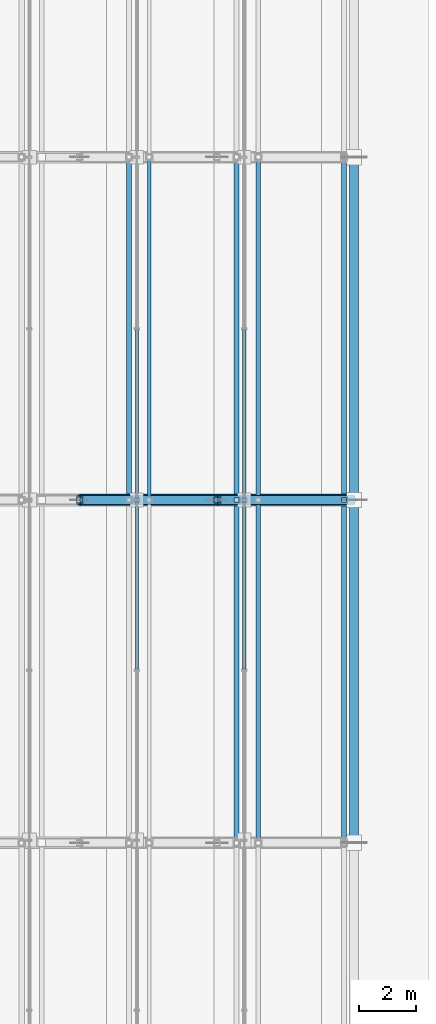
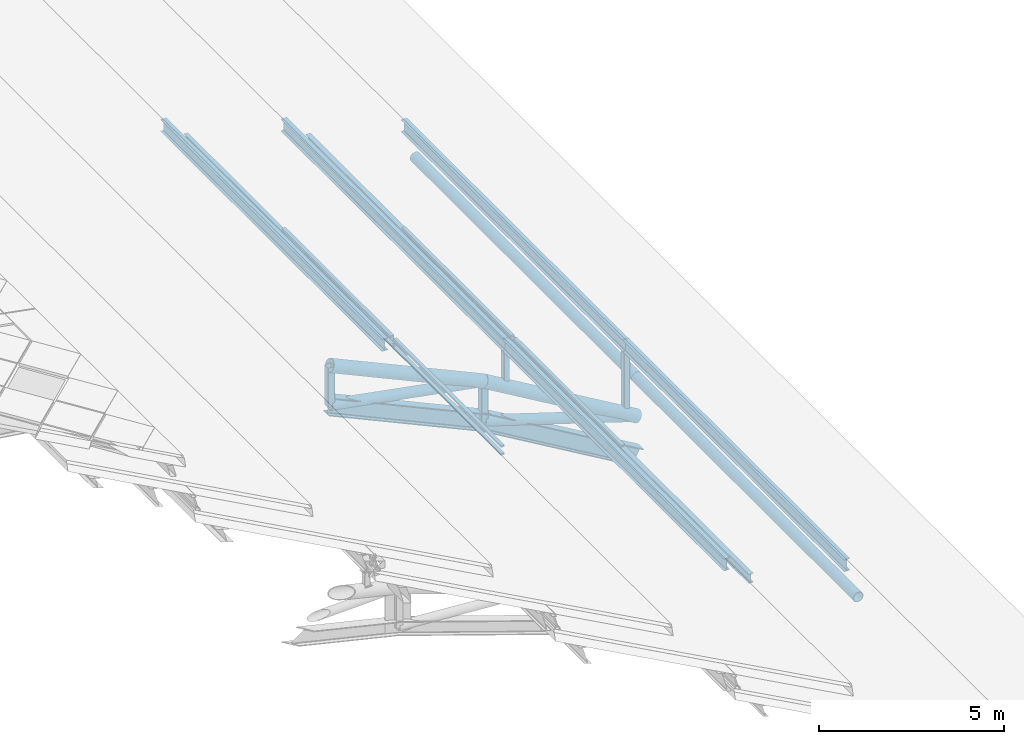
# One storey, part 19 of 117: 26 members, 2 beams, 4 elements without a shape of their own.
"""IFC4 building model written with IfcOpenShell, lengths in metres."""

from ifc_helpers import new_model, si_unit, direction, frame, origin, origin_2d, place, context, subcontext, project, spatial, hollow_rectangle, hollow_circle, i_section, extrude, material, material_profile, profile_set, type_object, element, aggregate, save


model = new_model("IFC4")

# Units and contexts
model_context = context("Model", 3, precision=1e-05, world=origin(), true_north=direction((0.0, 1.0)))
body_context = subcontext(model_context, "Body", "Model", "MODEL_VIEW")
ifc_project = project(units=[si_unit("LENGTHUNIT", "METRE"), si_unit("AREAUNIT", "SQUARE_METRE"), si_unit("VOLUMEUNIT", "CUBIC_METRE"), si_unit("PLANEANGLEUNIT", "RADIAN"), si_unit("MASSUNIT", "GRAM", prefix="KILO")], contexts=[model_context])

# Site, building, storey
site_placement = place(None, origin())
site = spatial("IfcSite", under=ifc_project, at=site_placement, CompositionType="ELEMENT")
building_placement = place(site_placement, origin())
building = spatial("IfcBuilding", under=site, at=building_placement, Name="Merenkruunu Market Hall", CompositionType="ELEMENT")
storey_placement = place(building_placement, frame((0.0, 0.0, 22.800048828125)))
storey = spatial("IfcBuildingStorey", under=building, at=storey_placement, Name="RF", CompositionType="ELEMENT", Elevation=22.800048828125)

# Members
ifc_material_1 = material(Name="Steel S355ML", Category="steel")
ifc_material_profile_1 = material_profile(ifc_material_1, hollow_circle(Radius=0.203125, WallThickness=0.01611328125, at=origin_2d()), Name="CHS 406.4x16")
ifc_profile_set_1 = profile_set([ifc_material_profile_1], Name="Steel S355ML")
member_type_1 = type_object("IfcMemberType", Name="Arch Truss Chord TC02", PredefinedType="CHORD", material=ifc_profile_set_1)
member_1_placement = place(storey_placement, frame((48.0, 39.60009765625, -5.12109375), z_axis=(0.909419998666, 0.0, -0.415878907889), x_axis=(0.0, 1.0, 0.0)))
element("IfcMember", 1, at=member_1_placement, inside=storey, type_object=member_type_1, Name="TRUSS-AT-3-TOP-11", PredefinedType="CHORD", context=body_context, shape_type="SweptSolid", body=[
    extrude(hollow_circle(Radius=0.203125, WallThickness=0.01611328125, at=origin_2d()), origin(), (0.0, 0.0, 1.0), 5.278076171875),
])
member_2_placement = place(storey_placement, frame((52.800048828125, 39.60009765625, -7.316162109375), z_axis=(0.861115679414, 0.0, -0.508409074139), x_axis=(0.0, 1.0, 0.0)))
element("IfcMember", 2, at=member_2_placement, inside=storey, type_object=member_type_1, Name="TRUSS-AT-3-TOP-12", PredefinedType="CHORD", context=body_context, shape_type="SweptSolid", body=[
    extrude(hollow_circle(Radius=0.203125, WallThickness=0.01611328125, at=origin_2d()), origin(), (0.0, 0.0, 1.0), 5.57421875),
])
ifc_material_profile_2 = material_profile(ifc_material_1, i_section(OverallWidth=0.300048828125, OverallDepth=0.550048828125, WebThickness=0.014892578125, FlangeThickness=0.029052734375, FilletRadius=0.027099609375, at=origin_2d()), Name="HEB 550")
ifc_profile_set_2 = profile_set([ifc_material_profile_2], Name="Steel S355ML")
member_type_2 = type_object("IfcMemberType", Name="Arch Truss Chord TC03", PredefinedType="CHORD", material=ifc_profile_set_2)
member_3_placement = place(storey_placement, frame((48.0, 39.60009765625, -6.421142578125), z_axis=(0.909437492245, 0.0, -0.415840651812), x_axis=(0.0, 1.0, 0.0)))
element("IfcMember", 3, at=member_3_placement, inside=storey, type_object=member_type_2, Name="TRUSS-AT-3-BOT-11", PredefinedType="CHORD", context=body_context, shape_type="SweptSolid", body=[
    extrude(i_section(OverallWidth=0.300048828125, OverallDepth=0.550048828125, WebThickness=0.014892578125, FlangeThickness=0.029052734375, FilletRadius=0.027099609375, at=origin_2d()), origin(), (0.0, 0.0, 1.0), 5.278076171875),
])
member_4_placement = place(storey_placement, frame((52.800048828125, 39.60009765625, -8.615966796875), z_axis=(0.861115679414, 0.0, -0.508409074139), x_axis=(0.0, 1.0, 0.0)))
element("IfcMember", 4, at=member_4_placement, inside=storey, type_object=member_type_2, Name="TRUSS-AT-3-BOT-12", PredefinedType="CHORD", context=body_context, shape_type="SweptSolid", body=[
    extrude(i_section(OverallWidth=0.300048828125, OverallDepth=0.550048828125, WebThickness=0.014892578125, FlangeThickness=0.029052734375, FilletRadius=0.027099609375, at=origin_2d()), origin(), (0.0, 0.0, 1.0), 5.57421875),
])

# Curtain wall, members
ifc_material_2 = material(Name="Powder-coated aluminium", Category="aluminium")
curtain_wall_type = type_object("IfcCurtainWallType", Name="Clerestory Curtain Band CL05", PredefinedType="USERDEFINED", material=ifc_material_2)
curtain_wall_1_placement = place(storey_placement, origin())
curtain_wall_1 = element("IfcCurtainWall", 5, at=curtain_wall_1_placement, inside=storey, type_object=curtain_wall_type, Name="CW-RF-CWM04-082", ObjectType="CLERESTORY_BAND", PredefinedType="USERDEFINED")
ifc_material_profile_3 = material_profile(ifc_material_2, hollow_rectangle(XDim=0.06005859375, YDim=0.110107421875, WallThickness=0.00390625, at=origin_2d()), Name="ALU 60x110x4")
ifc_profile_set_3 = profile_set([ifc_material_profile_3], Name="Powder-coated aluminium")
member_type_3 = type_object("IfcMemberType", Name="Curtain Wall Transom CWT03", PredefinedType="USERDEFINED", material=ifc_profile_set_3)
member_5_placement = place(storey_placement, frame((53.760009765625, 39.530029296875, -6.491943359375), z_axis=(0.0, -1.0, 0.0), x_axis=(0.0, 0.0, 1.0)))
member_5 = element("IfcMember", 6, at=member_5_placement, type_object=member_type_3, Name="CL05 transom 1.1", ObjectType="TRANSOM", PredefinedType="USERDEFINED", context=body_context, shape_type="SweptSolid", body=[
    extrude(hollow_rectangle(XDim=0.06005859375, YDim=0.110107421875, WallThickness=0.00390625, at=origin_2d()), origin(), (0.0, 0.0, 1.0), 5.844970703125),
])
member_6_placement = place(storey_placement, frame((53.760009765625, 39.530029296875, -6.2041015625), z_axis=(0.0, -1.0, 0.0), x_axis=(0.0, 0.0, 1.0)))
member_6 = element("IfcMember", 7, at=member_6_placement, type_object=member_type_3, Name="CL05 transom 1.2", ObjectType="TRANSOM", PredefinedType="USERDEFINED", context=body_context, shape_type="SweptSolid", body=[
    extrude(hollow_rectangle(XDim=0.06005859375, YDim=0.110107421875, WallThickness=0.00390625, at=origin_2d()), origin(), (0.0, 0.0, 1.0), 5.844970703125),
])
aggregate(curtain_wall_1, [member_5, member_6])

curtain_wall_2_placement = place(storey_placement, origin())
curtain_wall_2 = element("IfcCurtainWall", 8, at=curtain_wall_2_placement, inside=storey, type_object=curtain_wall_type, Name="CW-RF-CWM04-084", ObjectType="CLERESTORY_BAND", PredefinedType="USERDEFINED")
member_7_placement = place(storey_placement, frame((53.760009765625, 45.56494140625, -6.491943359375), z_axis=(0.0, -1.0, 0.0), x_axis=(0.0, 0.0, 1.0)))
member_7 = element("IfcMember", 9, at=member_7_placement, type_object=member_type_3, Name="CL05 transom 4.1", ObjectType="TRANSOM", PredefinedType="USERDEFINED", context=body_context, shape_type="SweptSolid", body=[
    extrude(hollow_rectangle(XDim=0.06005859375, YDim=0.110107421875, WallThickness=0.00390625, at=origin_2d()), origin(), (0.0, 0.0, 1.0), 5.89501953125),
])
member_8_placement = place(storey_placement, frame((53.760009765625, 45.56494140625, -6.2041015625), z_axis=(0.0, -1.0, 0.0), x_axis=(0.0, 0.0, 1.0)))
member_8 = element("IfcMember", 10, at=member_8_placement, type_object=member_type_3, Name="CL05 transom 4.2", ObjectType="TRANSOM", PredefinedType="USERDEFINED", context=body_context, shape_type="SweptSolid", body=[
    extrude(hollow_rectangle(XDim=0.06005859375, YDim=0.110107421875, WallThickness=0.00390625, at=origin_2d()), origin(), (0.0, 0.0, 1.0), 5.89501953125),
])
aggregate(curtain_wall_2, [member_7, member_8])

curtain_wall_3_placement = place(storey_placement, origin())
curtain_wall_3 = element("IfcCurtainWall", 11, at=curtain_wall_3_placement, inside=storey, type_object=curtain_wall_type, Name="CW-RF-CWM04-090", ObjectType="CLERESTORY_BAND", PredefinedType="USERDEFINED")
member_9_placement = place(storey_placement, frame((50.0, 39.530029296875, -5.172119140625), z_axis=(0.0, -1.0, 0.0), x_axis=(0.0, 0.0, 1.0)))
member_9 = element("IfcMember", 12, at=member_9_placement, type_object=member_type_3, Name="CL05 transom 1.1", ObjectType="TRANSOM", PredefinedType="USERDEFINED", context=body_context, shape_type="SweptSolid", body=[
    extrude(hollow_rectangle(XDim=0.06005859375, YDim=0.110107421875, WallThickness=0.00390625, at=origin_2d()), origin(), (0.0, 0.0, 1.0), 5.844970703125),
])
member_10_placement = place(storey_placement, frame((50.0, 39.530029296875, -4.905029296875), z_axis=(0.0, -1.0, 0.0), x_axis=(0.0, 0.0, 1.0)))
member_10 = element("IfcMember", 13, at=member_10_placement, type_object=member_type_3, Name="CL05 transom 1.2", ObjectType="TRANSOM", PredefinedType="USERDEFINED", context=body_context, shape_type="SweptSolid", body=[
    extrude(hollow_rectangle(XDim=0.06005859375, YDim=0.110107421875, WallThickness=0.00390625, at=origin_2d()), origin(), (0.0, 0.0, 1.0), 5.844970703125),
])
aggregate(curtain_wall_3, [member_9, member_10])

curtain_wall_4_placement = place(storey_placement, origin())
curtain_wall_4 = element("IfcCurtainWall", 14, at=curtain_wall_4_placement, inside=storey, type_object=curtain_wall_type, Name="CW-RF-CWM04-092", ObjectType="CLERESTORY_BAND", PredefinedType="USERDEFINED")
member_11_placement = place(storey_placement, frame((50.0, 45.56494140625, -5.172119140625), z_axis=(0.0, -1.0, 0.0), x_axis=(0.0, 0.0, 1.0)))
member_11 = element("IfcMember", 15, at=member_11_placement, type_object=member_type_3, Name="CL05 transom 4.1", ObjectType="TRANSOM", PredefinedType="USERDEFINED", context=body_context, shape_type="SweptSolid", body=[
    extrude(hollow_rectangle(XDim=0.06005859375, YDim=0.110107421875, WallThickness=0.00390625, at=origin_2d()), origin(), (0.0, 0.0, 1.0), 5.89501953125),
])
member_12_placement = place(storey_placement, frame((50.0, 45.56494140625, -4.905029296875), z_axis=(0.0, -1.0, 0.0), x_axis=(0.0, 0.0, 1.0)))
member_12 = element("IfcMember", 16, at=member_12_placement, type_object=member_type_3, Name="CL05 transom 4.2", ObjectType="TRANSOM", PredefinedType="USERDEFINED", context=body_context, shape_type="SweptSolid", body=[
    extrude(hollow_rectangle(XDim=0.06005859375, YDim=0.110107421875, WallThickness=0.00390625, at=origin_2d()), origin(), (0.0, 0.0, 1.0), 5.89501953125),
])
aggregate(curtain_wall_4, [member_11, member_12])

# Members
ifc_material_profile_4 = material_profile(ifc_material_1, hollow_circle(Radius=0.161865234375, WallThickness=0.01611328125, at=origin_2d()), Name="CHS 323.9x16")
ifc_profile_set_4 = profile_set([ifc_material_profile_4], Name="Steel S355ML")
member_type_4 = type_object("IfcMemberType", Name="Diagonal Sway Brace BR01", PredefinedType="BRACE", material=ifc_profile_set_4)
member_13_placement = place(storey_placement, frame((48.0, 39.60009765625, -6.421142578125), z_axis=(0.983056786802, 0.0, -0.18330126547), x_axis=(0.0, 1.0, 0.0)))
element("IfcMember", 17, at=member_13_placement, inside=storey, type_object=member_type_4, Name="TRUSS-AT-3-DIAG-11", PredefinedType="BRACE", context=body_context, shape_type="SweptSolid", body=[
    extrude(hollow_circle(Radius=0.161865234375, WallThickness=0.01611328125, at=origin_2d()), origin(), (0.0, 0.0, 1.0), 4.8828125),
])
member_14_placement = place(storey_placement, frame((52.800048828125, 39.60009765625, -8.615966796875), z_axis=(0.95252984503, 0.0, -0.304445223853), x_axis=(0.0, 1.0, 0.0)))
element("IfcMember", 18, at=member_14_placement, inside=storey, type_object=member_type_4, Name="TRUSS-AT-3-DIAG-12", PredefinedType="BRACE", context=body_context, shape_type="SweptSolid", body=[
    extrude(hollow_circle(Radius=0.161865234375, WallThickness=0.01611328125, at=origin_2d()), origin(), (0.0, 0.0, 1.0), 5.039306640625),
])
ifc_material_3 = material(Name="Steel S355J2", Category="steel")
ifc_material_profile_5 = material_profile(ifc_material_3, hollow_rectangle(XDim=0.219970703125, YDim=0.219970703125, WallThickness=0.012451171875, InnerFilletRadius=0.012451171875, OuterFilletRadius=0.02490234375, at=origin_2d()), Name="SHS 220x220x12.5")
ifc_profile_set_5 = profile_set([ifc_material_profile_5], Name="Steel S355J2")
member_type_5 = type_object("IfcMemberType", Name="Diagonal Sway Brace BR04", PredefinedType="BRACE", material=ifc_profile_set_5)
member_15_placement = place(storey_placement, frame((48.0, 39.60009765625, -6.421142578125), z_axis=(0.0, 0.0, 1.0), x_axis=(1.0, 0.0, 0.0)))
element("IfcMember", 19, at=member_15_placement, inside=storey, type_object=member_type_5, Name="TRUSS-AT-3-POST-10", PredefinedType="BRACE", context=body_context, shape_type="SweptSolid", body=[
    extrude(hollow_rectangle(XDim=0.219970703125, YDim=0.219970703125, WallThickness=0.012451171875, InnerFilletRadius=0.012451171875, OuterFilletRadius=0.02490234375, at=origin_2d()), origin(), (0.0, 0.0, 1.0), 1.300048828125),
])
member_16_placement = place(storey_placement, frame((52.800048828125, 39.60009765625, -8.615966796875), z_axis=(0.0, 0.0, 1.0), x_axis=(1.0, 0.0, 0.0)))
element("IfcMember", 20, at=member_16_placement, inside=storey, type_object=member_type_5, Name="TRUSS-AT-3-POST-11", PredefinedType="BRACE", context=body_context, shape_type="SweptSolid", body=[
    extrude(hollow_rectangle(XDim=0.219970703125, YDim=0.219970703125, WallThickness=0.012451171875, InnerFilletRadius=0.012451171875, OuterFilletRadius=0.02490234375, at=origin_2d()), origin(), (0.0, 0.0, 1.0), 1.2998046875),
])
ifc_material_profile_6 = material_profile(ifc_material_3, hollow_rectangle(XDim=0.179931640625, YDim=0.179931640625, WallThickness=0.010009765625, InnerFilletRadius=0.010009765625, OuterFilletRadius=0.02001953125, at=origin_2d()), Name="SHS 180x180x10")
ifc_profile_set_6 = profile_set([ifc_material_profile_6], Name="Steel S355J2")
member_type_6 = type_object("IfcMemberType", Name="Diagonal Sway Brace BR05", PredefinedType="BRACE", material=ifc_profile_set_6)
member_17_placement = place(storey_placement, frame((57.25, 39.60009765625, -9.751953125), z_axis=(0.0, 0.0, 1.0), x_axis=(1.0, 0.0, 0.0)))
element("IfcMember", 21, at=member_17_placement, inside=storey, type_object=member_type_6, Name="TRUSS-AT-3-RISER-E1-1", PredefinedType="BRACE", context=body_context, shape_type="SweptSolid", body=[
    extrude(hollow_rectangle(XDim=0.179931640625, YDim=0.179931640625, WallThickness=0.010009765625, InnerFilletRadius=0.010009765625, OuterFilletRadius=0.02001953125, at=origin_2d()), origin(), (0.0, 0.0, 1.0), 1.853515625),
])
member_18_placement = place(storey_placement, frame((53.489990234375, 39.60009765625, -7.53173828125), z_axis=(0.0, 0.0, 1.0), x_axis=(1.0, 0.0, 0.0)))
element("IfcMember", 22, at=member_18_placement, inside=storey, type_object=member_type_6, Name="TRUSS-AT-3-RISER-E2-1", PredefinedType="BRACE", context=body_context, shape_type="SweptSolid", body=[
    extrude(hollow_rectangle(XDim=0.179931640625, YDim=0.179931640625, WallThickness=0.010009765625, InnerFilletRadius=0.010009765625, OuterFilletRadius=0.02001953125, at=origin_2d()), origin(), (0.0, 0.0, 1.0), 0.9736328125),
])

# Beams
ifc_material_profile_7 = material_profile(ifc_material_1, hollow_circle(Radius=0.161865234375, WallThickness=0.01611328125, at=origin_2d()), Name="CHS 323.9x16")
ifc_profile_set_7 = profile_set([ifc_material_profile_7], Name="Steel S355ML")
beam_type = type_object("IfcBeamType", Name="Perimeter Spandrel Beam SP05", PredefinedType="SPANDREL", material=ifc_profile_set_7)
for number, where, z_axis, x_axis, name in (
    (23, (57.60009765625, 27.60009765625, -8.862060546875), (0.0, 1.0, 0.0), (-1.0, 0.0, 0.0), "BM-RF-SP05-1270"),
    (24, (57.60009765625, 39.60009765625, -8.862060546875), (0.0, 1.0, 0.0), (-1.0, 0.0, 0.0), "BM-RF-SP05-1273"),
):
    element("IfcBeam", number, at=place(storey_placement, frame(where, z_axis=z_axis, x_axis=x_axis)), inside=storey, type_object=beam_type, Name=name, PredefinedType="SPANDREL", context=body_context, shape_type="SweptSolid", body=[
        extrude(hollow_circle(Radius=0.161865234375, WallThickness=0.01611328125, at=origin_2d()), origin(), (0.0, 0.0, 1.0), 12.0),
    ])

# Members
ifc_material_profile_8 = material_profile(ifc_material_1, i_section(OverallWidth=0.14990234375, OverallDepth=0.300048828125, WebThickness=0.007080078125, FlangeThickness=0.0107421875, FilletRadius=0.014892578125, at=origin_2d()), Name="IPE 300")
ifc_profile_set_8 = profile_set([ifc_material_profile_8], Name="Steel S355ML")
member_type_7 = type_object("IfcMemberType", Name="Roof Purlin Rafter PR01", PredefinedType="PURLIN", material=ifc_profile_set_8)
for number, where, z_axis, x_axis, name in (
    (25, (54.25, 27.60009765625, -7.071533203125), (0.0, 1.0, 0.0), (-1.0, 0.0, 0.0), "MEM-RF-PURL-E-020"),
    (26, (54.25, 39.60009765625, -7.071533203125), (0.0, 1.0, 0.0), (-1.0, 0.0, 0.0), "MEM-RF-PURL-E-022"),
):
    element("IfcMember", number, at=place(storey_placement, frame(where, z_axis=z_axis, x_axis=x_axis)), inside=storey, type_object=member_type_7, Name=name, PredefinedType="PURLIN", context=body_context, shape_type="SweptSolid", body=[
        extrude(i_section(OverallWidth=0.14990234375, OverallDepth=0.300048828125, WebThickness=0.007080078125, FlangeThickness=0.0107421875, FilletRadius=0.014892578125, at=origin_2d()), origin(), (0.0, 0.0, 1.0), 12.0),
    ])
ifc_material_profile_9 = material_profile(ifc_material_1, i_section(OverallWidth=0.1201171875, OverallDepth=0.239990234375, WebThickness=0.006103515625, FlangeThickness=0.009765625, FilletRadius=0.014892578125, at=origin_2d()), Name="IPE 240")
ifc_profile_set_9 = profile_set([ifc_material_profile_9], Name="Steel S355ML")
member_type_8 = type_object("IfcMemberType", Name="Roof Purlin Rafter PR02", PredefinedType="PURLIN", material=ifc_profile_set_9)
member_19_placement = place(storey_placement, frame((50.429931640625, 39.60009765625, -5.687255859375), z_axis=(0.0, 1.0, 0.0), x_axis=(-1.0, 0.0, 0.0)))
element("IfcMember", 27, at=member_19_placement, inside=storey, type_object=member_type_8, Name="MEM-RF-PURL-E-054", PredefinedType="PURLIN", context=body_context, shape_type="SweptSolid", body=[
    extrude(i_section(OverallWidth=0.1201171875, OverallDepth=0.239990234375, WebThickness=0.006103515625, FlangeThickness=0.009765625, FilletRadius=0.014892578125, at=origin_2d()), origin(), (0.0, 0.0, 1.0), 12.0),
])
ifc_material_profile_10 = material_profile(ifc_material_1, i_section(OverallWidth=0.179931640625, OverallDepth=0.39990234375, WebThickness=0.008544921875, FlangeThickness=0.013427734375, FilletRadius=0.02099609375, at=origin_2d()), Name="IPE 400")
ifc_profile_set_10 = profile_set([ifc_material_profile_10], Name="Steel S355ML")
member_type_9 = type_object("IfcMemberType", Name="Roof Purlin Rafter PR09", PredefinedType="PURLIN", material=ifc_profile_set_10)
for number, where, z_axis, x_axis, name in (
    (28, (57.25, 27.60009765625, -7.680419921875), (0.0, 1.0, 0.0), (-1.0, 0.0, 0.0), "MEM-RF-PURL-E-004"),
    (29, (57.25, 39.60009765625, -7.680419921875), (0.0, 1.0, 0.0), (-1.0, 0.0, 0.0), "MEM-RF-PURL-E-006"),
    (30, (53.489990234375, 27.60009765625, -6.340087890625), (0.0, 1.0, 0.0), (-1.0, 0.0, 0.0), "MEM-RF-PURL-E-036"),
    (31, (53.489990234375, 39.60009765625, -6.340087890625), (0.0, 1.0, 0.0), (-1.0, 0.0, 0.0), "MEM-RF-PURL-E-038"),
    (32, (49.72998046875, 39.60009765625, -5.040283203125), (0.0, 1.0, 0.0), (-1.0, 0.0, 0.0), "MEM-RF-PURL-E-070"),
):
    element("IfcMember", number, at=place(storey_placement, frame(where, z_axis=z_axis, x_axis=x_axis)), inside=storey, type_object=member_type_9, Name=name, PredefinedType="PURLIN", context=body_context, shape_type="SweptSolid", body=[
        extrude(i_section(OverallWidth=0.179931640625, OverallDepth=0.39990234375, WebThickness=0.008544921875, FlangeThickness=0.013427734375, FilletRadius=0.02099609375, at=origin_2d()), origin(), (0.0, 0.0, 1.0), 12.0),
    ])

save(model, "model.ifc")
